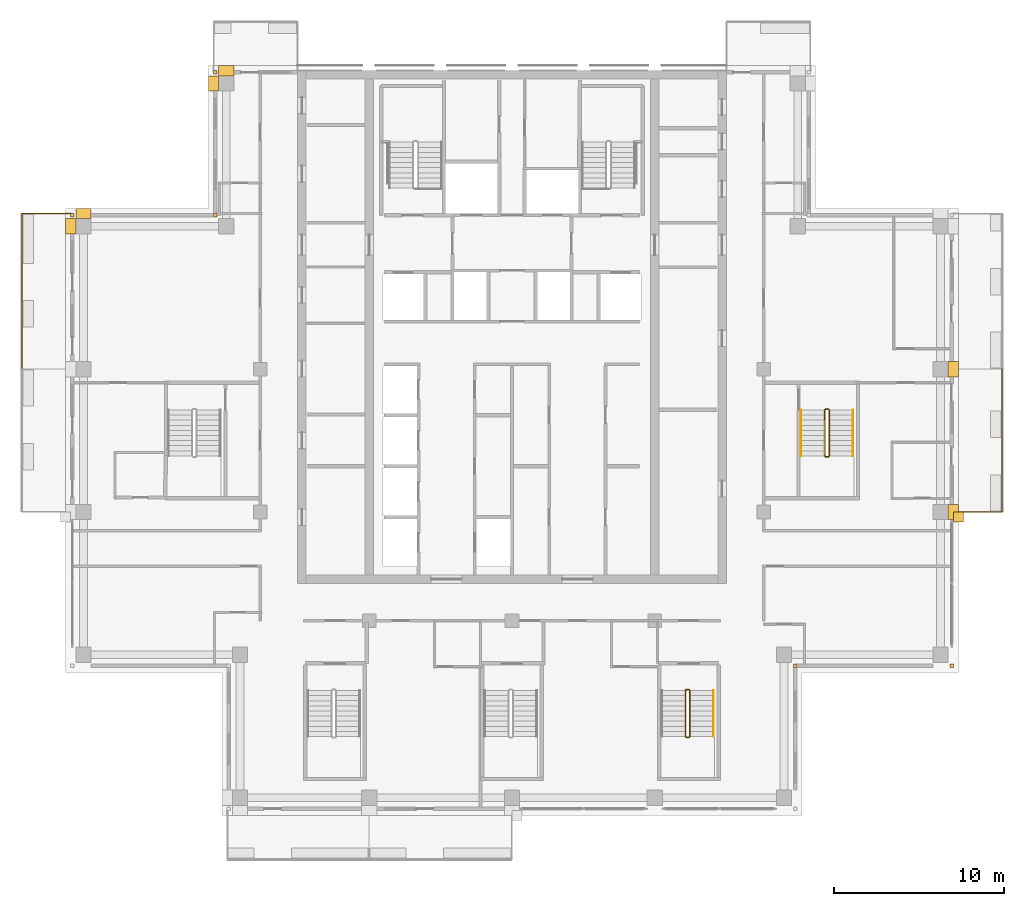
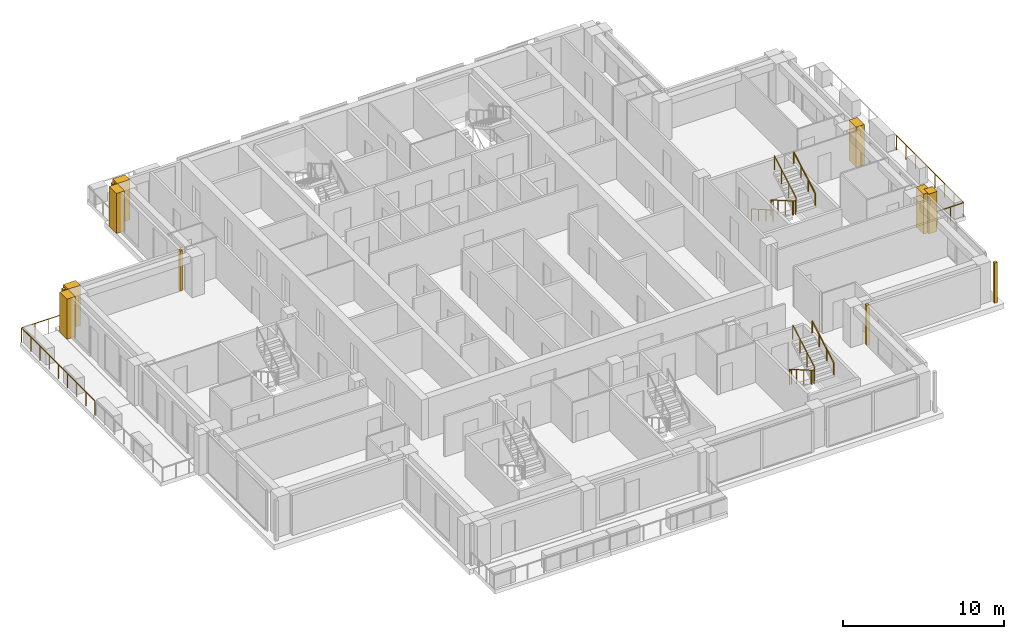
# One storey, part 14 of 16: 12 coverings, 7 railings.
"""IFC4 building model written with IfcOpenShell, lengths in metres."""

from ifc_helpers import new_model, si_unit, direction, frame, origin, origin_2d, place, context, subcontext, project, spatial, polyline, rectangle, outline, extrude, material, type_object, element, save


model = new_model("IFC4")

# Units and contexts
model_context = context("Model", 3, precision=1e-05, world=origin(), true_north=direction((0.0, 1.0)))
body_context = subcontext(model_context, "Body", "Model", "MODEL_VIEW")
ifc_project = project(units=[si_unit("LENGTHUNIT", "METRE"), si_unit("AREAUNIT", "SQUARE_METRE"), si_unit("VOLUMEUNIT", "CUBIC_METRE"), si_unit("PLANEANGLEUNIT", "RADIAN"), si_unit("MASSUNIT", "GRAM", prefix="KILO")], contexts=[model_context])

# Site, building, storey
site_placement = place(None, origin())
site = spatial("IfcSite", under=ifc_project, at=site_placement, CompositionType="ELEMENT")
building_placement = place(site_placement, origin())
building = spatial("IfcBuilding", under=site, at=building_placement, Name="Vermilion Ogive Tower", CompositionType="ELEMENT")
storey_placement = place(building_placement, frame((0.0, 0.0, 251.050048828125)))
storey = spatial("IfcBuildingStorey", under=building, at=storey_placement, Name="L66", CompositionType="ELEMENT", Elevation=251.050048828125)

# Railings
ifc_material_1 = material(Name="Stainless steel and glass", Category="steel")
railing_type_1 = type_object("IfcRailingType", Name="Balcony guard", PredefinedType="GUARDRAIL", material=ifc_material_1)
railing_1_placement = place(storey_placement, frame((25.949951171875, -4.199951171875, -0.0400390625)))
element("IfcRailing", 1, at=railing_1_placement, inside=storey, type_object=railing_type_1, Name="Guard E02", PredefinedType="GUARDRAIL", context=body_context, shape_type="SweptSolid", body=[
    extrude(rectangle(XDim=0.048095703125, YDim=0.048095703125, at=origin_2d()), frame((0.0, 0.0, 1.076171875), z_axis=(1.0, 0.0, 0.0), x_axis=(0.0, 1.0, 0.0)), (0.0, 0.0, 1.0), 2.86376953125),
    extrude(rectangle(XDim=0.048095703125, YDim=0.048095703125, at=origin_2d()), frame((2.86376953125, 0.0, 1.076171875), z_axis=(0.0, 1.0, 0.0), x_axis=(-1.0, 0.0, 0.0)), (0.0, 0.0, 1.0), 8.39990234375),
    extrude(rectangle(XDim=0.0419921875, YDim=0.0419921875, at=origin_2d()), origin(), (0.0, 0.0, 1.0), 1.052001953125),
    extrude(rectangle(XDim=0.0419921875, YDim=0.0419921875, at=origin_2d()), frame((0.95458984375, 0.0, 0.0)), (0.0, 0.0, 1.0), 1.052001953125),
    extrude(rectangle(XDim=0.0419921875, YDim=0.0419921875, at=origin_2d()), frame((1.9091796875, 0.0, 0.0)), (0.0, 0.0, 1.0), 1.052001953125),
    extrude(rectangle(XDim=0.0419921875, YDim=0.0419921875, at=origin_2d()), frame((2.86376953125, 0.0, 0.0)), (0.0, 0.0, 1.0), 1.052001953125),
    extrude(rectangle(XDim=0.0419921875, YDim=0.0419921875, at=origin_2d()), frame((2.86376953125, 1.199951171875, 0.0)), (0.0, 0.0, 1.0), 1.052001953125),
    extrude(rectangle(XDim=0.0419921875, YDim=0.0419921875, at=origin_2d()), frame((2.86376953125, 2.39990234375, 0.0)), (0.0, 0.0, 1.0), 1.052001953125),
    extrude(rectangle(XDim=0.0419921875, YDim=0.0419921875, at=origin_2d()), frame((2.86376953125, 3.599853515625, 0.0)), (0.0, 0.0, 1.0), 1.052001953125),
    extrude(rectangle(XDim=0.0419921875, YDim=0.0419921875, at=origin_2d()), frame((2.86376953125, 4.800048828125, 0.0)), (0.0, 0.0, 1.0), 1.052001953125),
    extrude(rectangle(XDim=0.0419921875, YDim=0.0419921875, at=origin_2d()), frame((2.86376953125, 6.0, 0.0)), (0.0, 0.0, 1.0), 1.052001953125),
    extrude(rectangle(XDim=0.0419921875, YDim=0.0419921875, at=origin_2d()), frame((2.86376953125, 7.199951171875, 0.0)), (0.0, 0.0, 1.0), 1.052001953125),
    extrude(rectangle(XDim=0.0419921875, YDim=0.0419921875, at=origin_2d()), frame((2.86376953125, 8.39990234375, 0.0)), (0.0, 0.0, 1.0), 1.052001953125),
])
railing_2_placement = place(storey_placement, frame((-25.949951171875, 13.35009765625, -0.0400390625)))
element("IfcRailing", 2, at=railing_2_placement, inside=storey, type_object=railing_type_1, Name="Guard W01", PredefinedType="GUARDRAIL", context=body_context, shape_type="SweptSolid", body=[
    extrude(rectangle(XDim=0.048095703125, YDim=0.048095703125, at=origin_2d()), frame((0.0, 0.0, 1.076171875), z_axis=(-1.0, 0.0, 0.0), x_axis=(0.0, -1.0, 0.0)), (0.0, 0.0, 1.0), 2.86376953125),
    extrude(rectangle(XDim=0.048095703125, YDim=0.048095703125, at=origin_2d()), frame((-2.86376953125, 0.0, 1.076171875), z_axis=(0.0, -1.0, 0.0), x_axis=(1.0, 0.0, 0.0)), (0.0, 0.0, 1.0), 9.150146484375),
    extrude(rectangle(XDim=0.0419921875, YDim=0.0419921875, at=origin_2d()), origin(), (0.0, 0.0, 1.0), 1.052001953125),
    extrude(rectangle(XDim=0.0419921875, YDim=0.0419921875, at=origin_2d()), frame((-0.95458984375, 0.0, 0.0)), (0.0, 0.0, 1.0), 1.052001953125),
    extrude(rectangle(XDim=0.0419921875, YDim=0.0419921875, at=origin_2d()), frame((-1.9091796875, 0.0, 0.0)), (0.0, 0.0, 1.0), 1.052001953125),
    extrude(rectangle(XDim=0.0419921875, YDim=0.0419921875, at=origin_2d()), frame((-2.86376953125, 0.0, 0.0)), (0.0, 0.0, 1.0), 1.052001953125),
    extrude(rectangle(XDim=0.0419921875, YDim=0.0419921875, at=origin_2d()), frame((-2.86376953125, -1.143798828125, 0.0)), (0.0, 0.0, 1.0), 1.052001953125),
    extrude(rectangle(XDim=0.0419921875, YDim=0.0419921875, at=origin_2d()), frame((-2.86376953125, -2.28759765625, 0.0)), (0.0, 0.0, 1.0), 1.052001953125),
    extrude(rectangle(XDim=0.0419921875, YDim=0.0419921875, at=origin_2d()), frame((-2.86376953125, -3.431396484375, 0.0)), (0.0, 0.0, 1.0), 1.052001953125),
    extrude(rectangle(XDim=0.0419921875, YDim=0.0419921875, at=origin_2d()), frame((-2.86376953125, -4.5751953125, 0.0)), (0.0, 0.0, 1.0), 1.052001953125),
    extrude(rectangle(XDim=0.0419921875, YDim=0.0419921875, at=origin_2d()), frame((-2.86376953125, -5.71875, 0.0)), (0.0, 0.0, 1.0), 1.052001953125),
    extrude(rectangle(XDim=0.0419921875, YDim=0.0419921875, at=origin_2d()), frame((-2.86376953125, -6.862548828125, 0.0)), (0.0, 0.0, 1.0), 1.052001953125),
    extrude(rectangle(XDim=0.0419921875, YDim=0.0419921875, at=origin_2d()), frame((-2.86376953125, -8.00634765625, 0.0)), (0.0, 0.0, 1.0), 1.052001953125),
    extrude(rectangle(XDim=0.0419921875, YDim=0.0419921875, at=origin_2d()), frame((-2.86376953125, -9.150146484375, 0.0)), (0.0, 0.0, 1.0), 1.052001953125),
])
ifc_material_2 = material(Name="Steel S355 painted", Category="steel")
railing_type_2 = type_object("IfcRailingType", Name="Stair guard 1100", PredefinedType="GUARDRAIL", material=ifc_material_2)
railing_3_placement = place(storey_placement, frame((10.39990234375, -14.64990234375, 0.0)))
element("IfcRailing", 3, at=railing_3_placement, inside=storey, type_object=railing_type_2, Name="L66 ST5 stair guard 4", PredefinedType="GUARDRAIL", context=body_context, shape_type="SweptSolid", body=[
    extrude(rectangle(XDim=0.048095703125, YDim=0.048095703125, at=origin_2d()), frame((0.0, 0.0, 1.076171875), z_axis=(-1.0, 0.0, 0.0), x_axis=(0.0, -1.0, 0.0)), (0.0, 0.0, 1.0), 0.14990234375),
    extrude(rectangle(XDim=0.048095703125, YDim=0.048095703125, at=origin_2d()), frame((-0.14990234375, 0.0, 1.076171875), z_axis=(-0.268603158521, -0.268603158521, 0.925043072762), x_axis=(0.707106781187, -0.707106781187, 0.0)), (0.0, 0.0, 1.0), 0.186279296875),
    extrude(rectangle(XDim=0.048095703125, YDim=0.048095703125, at=origin_2d()), frame((-0.199951171875, -0.050048828125, 1.24853515625), z_axis=(0.0, -0.866903762492, 0.498475542607), x_axis=(1.0, 0.0, 0.0)), (0.0, 0.0, 1.0), 3.114501953125),
    extrude(rectangle(XDim=0.048095703125, YDim=0.048095703125, at=origin_2d()), frame((-0.199951171875, -2.75, 2.80078125), z_axis=(0.707106781187, -0.707106781187, 0.0), x_axis=(0.707106781187, 0.707106781187, 0.0)), (0.0, 0.0, 1.0), 0.07080078125),
    extrude(rectangle(XDim=0.048095703125, YDim=0.048095703125, at=origin_2d()), frame((-0.14990234375, -2.800048828125, 2.80078125), z_axis=(1.0, 0.0, 0.0), x_axis=(0.0, 1.0, 0.0)), (0.0, 0.0, 1.0), 0.14990234375),
    extrude(rectangle(XDim=0.048095703125, YDim=0.048095703125, at=origin_2d()), frame((0.0, -2.800048828125, 2.80078125), z_axis=(0.268277960024, 0.268277960024, 0.925231793839), x_axis=(-0.707106781187, 0.707106781187, 0.0)), (0.0, 0.0, 1.0), 0.1865234375),
    extrude(rectangle(XDim=0.048095703125, YDim=0.048095703125, at=origin_2d()), frame((0.050048828125, -2.75, 2.9736328125), z_axis=(0.0, 0.866903762492, 0.498475542607), x_axis=(-1.0, 0.0, 0.0)), (0.0, 0.0, 1.0), 3.114501953125),
    extrude(rectangle(XDim=0.0419921875, YDim=0.0419921875, at=origin_2d()), origin(), (0.0, 0.0, 1.0), 1.052001953125),
    extrude(rectangle(XDim=0.0419921875, YDim=0.0419921875, at=origin_2d()), frame((-0.14990234375, 0.0, 0.0)), (0.0, 0.0, 1.0), 1.052001953125),
    extrude(rectangle(XDim=0.0419921875, YDim=0.0419921875, at=origin_2d()), frame((-0.199951171875, -0.050048828125, 0.17236328125)), (0.0, 0.0, 1.0), 1.052001953125),
    extrude(rectangle(XDim=0.0419921875, YDim=0.0419921875, at=origin_2d()), frame((-0.199951171875, -0.949951171875, 0.68994140625)), (0.0, 0.0, 1.0), 1.052001953125),
    extrude(rectangle(XDim=0.0419921875, YDim=0.0419921875, at=origin_2d()), frame((-0.199951171875, -1.85009765625, 1.207275390625)), (0.0, 0.0, 1.0), 1.052001953125),
    extrude(rectangle(XDim=0.0419921875, YDim=0.0419921875, at=origin_2d()), frame((-0.199951171875, -2.75, 1.724853515625)), (0.0, 0.0, 1.0), 1.052001953125),
    extrude(rectangle(XDim=0.0419921875, YDim=0.0419921875, at=origin_2d()), frame((-0.14990234375, -2.800048828125, 1.724853515625)), (0.0, 0.0, 1.0), 1.052001953125),
    extrude(rectangle(XDim=0.0419921875, YDim=0.0419921875, at=origin_2d()), frame((0.0, -2.800048828125, 1.724853515625)), (0.0, 0.0, 1.0), 1.052001953125),
    extrude(rectangle(XDim=0.0419921875, YDim=0.0419921875, at=origin_2d()), frame((0.050048828125, -2.75, 1.8974609375)), (0.0, 0.0, 1.0), 1.052001953125),
    extrude(rectangle(XDim=0.0419921875, YDim=0.0419921875, at=origin_2d()), frame((0.050048828125, -1.85009765625, 2.4150390625)), (0.0, 0.0, 1.0), 1.052001953125),
    extrude(rectangle(XDim=0.0419921875, YDim=0.0419921875, at=origin_2d()), frame((0.050048828125, -0.949951171875, 2.932373046875)), (0.0, 0.0, 1.0), 1.052001953125),
    extrude(rectangle(XDim=0.0419921875, YDim=0.0419921875, at=origin_2d()), frame((0.050048828125, -0.050048828125, 3.449951171875)), (0.0, 0.0, 1.0), 1.052001953125),
])
railing_4_placement = place(storey_placement, frame((18.60009765625, 1.85009765625, 0.0)))
element("IfcRailing", 4, at=railing_4_placement, inside=storey, type_object=railing_type_2, Name="L66 ST8 stair guard 4", PredefinedType="GUARDRAIL", context=body_context, shape_type="SweptSolid", body=[
    extrude(rectangle(XDim=0.048095703125, YDim=0.048095703125, at=origin_2d()), frame((0.0, 0.0, 1.076171875), z_axis=(-1.0, 0.0, 0.0), x_axis=(0.0, -1.0, 0.0)), (0.0, 0.0, 1.0), 0.150146484375),
    extrude(rectangle(XDim=0.048095703125, YDim=0.048095703125, at=origin_2d()), frame((-0.150146484375, 0.0, 1.076171875), z_axis=(-0.268603158521, -0.268603158521, 0.925043072762), x_axis=(0.707106781187, -0.707106781187, 0.0)), (0.0, 0.0, 1.0), 0.186279296875),
    extrude(rectangle(XDim=0.048095703125, YDim=0.048095703125, at=origin_2d()), frame((-0.2001953125, -0.050048828125, 1.24853515625), z_axis=(0.0, -0.866903762492, 0.498475542607), x_axis=(1.0, 0.0, 0.0)), (0.0, 0.0, 1.0), 3.114501953125),
    extrude(rectangle(XDim=0.048095703125, YDim=0.048095703125, at=origin_2d()), frame((-0.2001953125, -2.75, 2.80078125), z_axis=(0.707106781187, -0.707106781187, 0.0), x_axis=(0.707106781187, 0.707106781187, 0.0)), (0.0, 0.0, 1.0), 0.07080078125),
    extrude(rectangle(XDim=0.048095703125, YDim=0.048095703125, at=origin_2d()), frame((-0.150146484375, -2.800048828125, 2.80078125), z_axis=(1.0, 0.0, 0.0), x_axis=(0.0, 1.0, 0.0)), (0.0, 0.0, 1.0), 0.150146484375),
    extrude(rectangle(XDim=0.048095703125, YDim=0.048095703125, at=origin_2d()), frame((0.0, -2.800048828125, 2.80078125), z_axis=(0.267062837333, 0.268371968888, 0.925556009775), x_axis=(-0.708833529934, 0.705375805398, 0.0)), (0.0, 0.0, 1.0), 0.1865234375),
    extrude(rectangle(XDim=0.048095703125, YDim=0.048095703125, at=origin_2d()), frame((0.0498046875, -2.75, 2.9736328125), z_axis=(0.0, 0.866903762492, 0.498475542607), x_axis=(-1.0, 0.0, 0.0)), (0.0, 0.0, 1.0), 3.114501953125),
    extrude(rectangle(XDim=0.0419921875, YDim=0.0419921875, at=origin_2d()), origin(), (0.0, 0.0, 1.0), 1.052001953125),
    extrude(rectangle(XDim=0.0419921875, YDim=0.0419921875, at=origin_2d()), frame((-0.150146484375, 0.0, 0.0)), (0.0, 0.0, 1.0), 1.052001953125),
    extrude(rectangle(XDim=0.0419921875, YDim=0.0419921875, at=origin_2d()), frame((-0.2001953125, -0.050048828125, 0.17236328125)), (0.0, 0.0, 1.0), 1.052001953125),
    extrude(rectangle(XDim=0.0419921875, YDim=0.0419921875, at=origin_2d()), frame((-0.2001953125, -0.949951171875, 0.68994140625)), (0.0, 0.0, 1.0), 1.052001953125),
    extrude(rectangle(XDim=0.0419921875, YDim=0.0419921875, at=origin_2d()), frame((-0.2001953125, -1.85009765625, 1.207275390625)), (0.0, 0.0, 1.0), 1.052001953125),
    extrude(rectangle(XDim=0.0419921875, YDim=0.0419921875, at=origin_2d()), frame((-0.2001953125, -2.75, 1.724853515625)), (0.0, 0.0, 1.0), 1.052001953125),
    extrude(rectangle(XDim=0.0419921875, YDim=0.0419921875, at=origin_2d()), frame((-0.150146484375, -2.800048828125, 1.724853515625)), (0.0, 0.0, 1.0), 1.052001953125),
    extrude(rectangle(XDim=0.0419921875, YDim=0.0419921875, at=origin_2d()), frame((0.0, -2.800048828125, 1.724853515625)), (0.0, 0.0, 1.0), 1.052001953125),
    extrude(rectangle(XDim=0.0419921875, YDim=0.0419921875, at=origin_2d()), frame((0.0498046875, -2.75, 1.8974609375)), (0.0, 0.0, 1.0), 1.052001953125),
    extrude(rectangle(XDim=0.0419921875, YDim=0.0419921875, at=origin_2d()), frame((0.0498046875, -1.85009765625, 2.4150390625)), (0.0, 0.0, 1.0), 1.052001953125),
    extrude(rectangle(XDim=0.0419921875, YDim=0.0419921875, at=origin_2d()), frame((0.0498046875, -0.949951171875, 2.932373046875)), (0.0, 0.0, 1.0), 1.052001953125),
    extrude(rectangle(XDim=0.0419921875, YDim=0.0419921875, at=origin_2d()), frame((0.0498046875, -0.050048828125, 3.449951171875)), (0.0, 0.0, 1.0), 1.052001953125),
])
ifc_material_3 = material(Name="Stainless steel", Category="steel")
railing_type_3 = type_object("IfcRailingType", Name="Stair handrail 900", PredefinedType="HANDRAIL", material=ifc_material_3)
railing_5_placement = place(storey_placement, frame((11.85009765625, -17.39990234375, 1.8974609375)))
element("IfcRailing", 5, at=railing_5_placement, inside=storey, type_object=railing_type_3, Name="L66 ST5 stair handrail 2", PredefinedType="HANDRAIL", context=body_context, shape_type="SweptSolid", body=[
    extrude(rectangle(XDim=0.048095703125, YDim=0.048095703125, at=origin_2d()), frame((0.0, 0.0, 0.8759765625), z_axis=(0.0, 0.866903762492, 0.498475542607), x_axis=(-1.0, 0.0, 0.0)), (0.0, 0.0, 1.0), 3.114501953125),
    extrude(rectangle(XDim=0.0419921875, YDim=0.0419921875, at=origin_2d()), origin(), (0.0, 0.0, 1.0), 0.851806640625),
    extrude(rectangle(XDim=0.0419921875, YDim=0.0419921875, at=origin_2d()), frame((0.0, 0.89990234375, 0.517578125)), (0.0, 0.0, 1.0), 0.851806640625),
    extrude(rectangle(XDim=0.0419921875, YDim=0.0419921875, at=origin_2d()), frame((0.0, 1.800048828125, 1.034912109375)), (0.0, 0.0, 1.0), 0.851806640625),
    extrude(rectangle(XDim=0.0419921875, YDim=0.0419921875, at=origin_2d()), frame((0.0, 2.699951171875, 1.552490234375)), (0.0, 0.0, 1.0), 0.851806640625),
])
railing_6_placement = place(storey_placement, frame((17.0, 1.800048828125, 0.17236328125)))
element("IfcRailing", 6, at=railing_6_placement, inside=storey, type_object=railing_type_3, Name="L66 ST8 stair handrail 1", PredefinedType="HANDRAIL", context=body_context, shape_type="SweptSolid", body=[
    extrude(rectangle(XDim=0.048095703125, YDim=0.048095703125, at=origin_2d()), frame((0.0, 0.0, 0.8759765625), z_axis=(0.0, -0.866903762492, 0.498475542607), x_axis=(1.0, 0.0, 0.0)), (0.0, 0.0, 1.0), 3.114501953125),
    extrude(rectangle(XDim=0.0419921875, YDim=0.0419921875, at=origin_2d()), origin(), (0.0, 0.0, 1.0), 0.851806640625),
    extrude(rectangle(XDim=0.0419921875, YDim=0.0419921875, at=origin_2d()), frame((0.0, -0.89990234375, 0.517578125)), (0.0, 0.0, 1.0), 0.851806640625),
    extrude(rectangle(XDim=0.0419921875, YDim=0.0419921875, at=origin_2d()), frame((0.0, -1.800048828125, 1.034912109375)), (0.0, 0.0, 1.0), 0.851806640625),
    extrude(rectangle(XDim=0.0419921875, YDim=0.0419921875, at=origin_2d()), frame((0.0, -2.699951171875, 1.552490234375)), (0.0, 0.0, 1.0), 0.851806640625),
])
railing_7_placement = place(storey_placement, frame((20.050048828125, -0.89990234375, 1.8974609375)))
element("IfcRailing", 7, at=railing_7_placement, inside=storey, type_object=railing_type_3, Name="L66 ST8 stair handrail 2", PredefinedType="HANDRAIL", context=body_context, shape_type="SweptSolid", body=[
    extrude(rectangle(XDim=0.048095703125, YDim=0.048095703125, at=origin_2d()), frame((0.0, 0.0, 0.8759765625), z_axis=(0.0, 0.866903762492, 0.498475542607), x_axis=(-1.0, 0.0, 0.0)), (0.0, 0.0, 1.0), 3.114501953125),
    extrude(rectangle(XDim=0.0419921875, YDim=0.0419921875, at=origin_2d()), origin(), (0.0, 0.0, 1.0), 0.851806640625),
    extrude(rectangle(XDim=0.0419921875, YDim=0.0419921875, at=origin_2d()), frame((0.0, 0.89990234375, 0.517578125)), (0.0, 0.0, 1.0), 0.851806640625),
    extrude(rectangle(XDim=0.0419921875, YDim=0.0419921875, at=origin_2d()), frame((0.0, 1.800048828125, 1.034912109375)), (0.0, 0.0, 1.0), 0.851806640625),
    extrude(rectangle(XDim=0.0419921875, YDim=0.0419921875, at=origin_2d()), frame((0.0, 2.699951171875, 1.552490234375)), (0.0, 0.0, 1.0), 0.851806640625),
])

# Coverings
ifc_material_4 = material(Name="Stone cladding", Category="masonry")
covering_type_1 = type_object("IfcCoveringType", Name="Stone corner buttress", PredefinedType="CLADDING", material=ifc_material_4)
covering_1_placement = place(storey_placement, origin())
element("IfcCovering", 8, at=covering_1_placement, inside=storey, type_object=covering_type_1, Name="Stone crease pier EK", PredefinedType="CLADDING", context=body_context, shape_type="SweptSolid", body=[
    extrude(outline(polyline([(26.550048828125, -4.800048828125), (26.550048828125, -4.199951171875), (25.949951171875, -4.199951171875), (25.949951171875, -4.800048828125), (26.550048828125, -4.800048828125)])), origin(), (0.0, 0.0, 1.0), 3.050048828125),
])
ifc_material_5 = material(Name="Stone cladding", Category="masonry")
covering_type_2 = type_object("IfcCoveringType", Name="Stone pier", PredefinedType="CLADDING", material=ifc_material_5)
covering_2_placement = place(storey_placement, origin())
element("IfcCovering", 9, at=covering_2_placement, inside=storey, type_object=covering_type_2, Name="Stone corner pier X1E1", PredefinedType="CLADDING", context=body_context, shape_type="SweptSolid", body=[
    extrude(outline(polyline([(16.550048828125, -13.14990234375), (16.75, -13.14990234375), (16.75, -13.35009765625), (16.550048828125, -13.35009765625), (16.550048828125, -13.14990234375)])), origin(), (0.0, 0.0, 1.0), 3.050048828125),
])
covering_3_placement = place(storey_placement, origin())
element("IfcCovering", 10, at=covering_3_placement, inside=storey, type_object=covering_type_2, Name="Stone corner pier X2E1", PredefinedType="CLADDING", context=body_context, shape_type="SweptSolid", body=[
    extrude(outline(polyline([(25.75, -13.14990234375), (25.949951171875, -13.14990234375), (25.949951171875, -13.35009765625), (25.75, -13.35009765625), (25.75, -13.14990234375)])), origin(), (0.0, 0.0, 1.0), 3.050048828125),
])
covering_4_placement = place(storey_placement, origin())
element("IfcCovering", 11, at=covering_4_placement, inside=storey, type_object=covering_type_2, Name="Stone corner pier N2E1", PredefinedType="CLADDING", context=body_context, shape_type="SweptSolid", body=[
    extrude(outline(polyline([(-17.35009765625, 21.550048828125), (-17.550048828125, 21.550048828125), (-17.550048828125, 21.75), (-17.35009765625, 21.75), (-17.35009765625, 21.550048828125)])), origin(), (0.0, 0.0, 1.0), 3.050048828125),
])
covering_5_placement = place(storey_placement, origin())
element("IfcCovering", 12, at=covering_5_placement, inside=storey, type_object=covering_type_2, Name="Stone corner pier X5E1", PredefinedType="CLADDING", context=body_context, shape_type="SweptSolid", body=[
    extrude(outline(polyline([(-17.35009765625, 13.14990234375), (-17.550048828125, 13.14990234375), (-17.550048828125, 13.35009765625), (-17.35009765625, 13.35009765625), (-17.35009765625, 13.14990234375)])), origin(), (0.0, 0.0, 1.0), 3.050048828125),
])
covering_6_placement = place(storey_placement, origin())
element("IfcCovering", 13, at=covering_6_placement, inside=storey, type_object=covering_type_2, Name="Stone corner pier X6E1", PredefinedType="CLADDING", context=body_context, shape_type="SweptSolid", body=[
    extrude(outline(polyline([(-25.75, 13.14990234375), (-25.949951171875, 13.14990234375), (-25.949951171875, 13.35009765625), (-25.75, 13.35009765625), (-25.75, 13.14990234375)])), origin(), (0.0, 0.0, 1.0), 3.050048828125),
])
covering_7_placement = place(storey_placement, origin())
element("IfcCovering", 14, at=covering_7_placement, inside=storey, type_object=covering_type_2, Name="Stone pier P+0252+042", PredefinedType="CLADDING", context=body_context, shape_type="SweptSolid", body=[
    extrude(outline(polyline([(26.25, 4.64990234375), (26.25, 3.75), (25.64990234375, 3.75), (25.64990234375, 4.64990234375), (26.25, 4.64990234375)])), origin(), (0.0, 0.0, 1.0), 3.050048828125),
])
covering_8_placement = place(storey_placement, origin())
element("IfcCovering", 15, at=covering_8_placement, inside=storey, type_object=covering_type_2, Name="Stone pier P+0252-042", PredefinedType="CLADDING", context=body_context, shape_type="SweptSolid", body=[
    extrude(outline(polyline([(26.25, -3.75), (26.25, -4.199951171875), (25.949951171875, -4.199951171875), (25.949951171875, -4.64990234375), (25.64990234375, -4.64990234375), (25.64990234375, -3.75), (26.25, -3.75)])), origin(), (0.0, 0.0, 1.0), 3.050048828125),
])
covering_9_placement = place(storey_placement, origin())
element("IfcCovering", 16, at=covering_9_placement, inside=storey, type_object=covering_type_2, Name="Stone pier P-0168+210N2", PredefinedType="CLADDING", context=body_context, shape_type="SweptSolid", body=[
    extrude(outline(polyline([(-17.25, 21.449951171875), (-17.25, 22.050048828125), (-16.35009765625, 22.050048828125), (-16.35009765625, 21.449951171875), (-17.25, 21.449951171875), (-17.25, 21.449951171875)])), origin(), (0.0, 0.0, 1.0), 3.050048828125),
])
covering_10_placement = place(storey_placement, origin())
element("IfcCovering", 17, at=covering_10_placement, inside=storey, type_object=covering_type_2, Name="Stone pier P-0168+210X5", PredefinedType="CLADDING", context=body_context, shape_type="SweptSolid", body=[
    extrude(outline(polyline([(-17.85009765625, 21.449951171875), (-17.25, 21.449951171875), (-17.25, 21.449951171875), (-17.25, 20.550048828125), (-17.85009765625, 20.550048828125), (-17.85009765625, 21.449951171875)])), origin(), (0.0, 0.0, 1.0), 3.050048828125),
])
covering_11_placement = place(storey_placement, origin())
element("IfcCovering", 18, at=covering_11_placement, inside=storey, type_object=covering_type_2, Name="Stone pier P-0252+126X6", PredefinedType="CLADDING", context=body_context, shape_type="SweptSolid", body=[
    extrude(outline(polyline([(-25.64990234375, 13.050048828125), (-25.64990234375, 13.64990234375), (-24.75, 13.64990234375), (-24.75, 13.050048828125), (-24.75, 13.050048828125), (-25.64990234375, 13.050048828125)])), origin(), (0.0, 0.0, 1.0), 3.050048828125),
])
covering_12_placement = place(storey_placement, origin())
element("IfcCovering", 19, at=covering_12_placement, inside=storey, type_object=covering_type_2, Name="Stone pier P-0252+126W", PredefinedType="CLADDING", context=body_context, shape_type="SweptSolid", body=[
    extrude(outline(polyline([(-26.25, 13.050048828125), (-25.64990234375, 13.050048828125), (-25.64990234375, 12.14990234375), (-26.25, 12.14990234375), (-26.25, 13.050048828125)])), origin(), (0.0, 0.0, 1.0), 3.050048828125),
])

save(model, "model.ifc")
